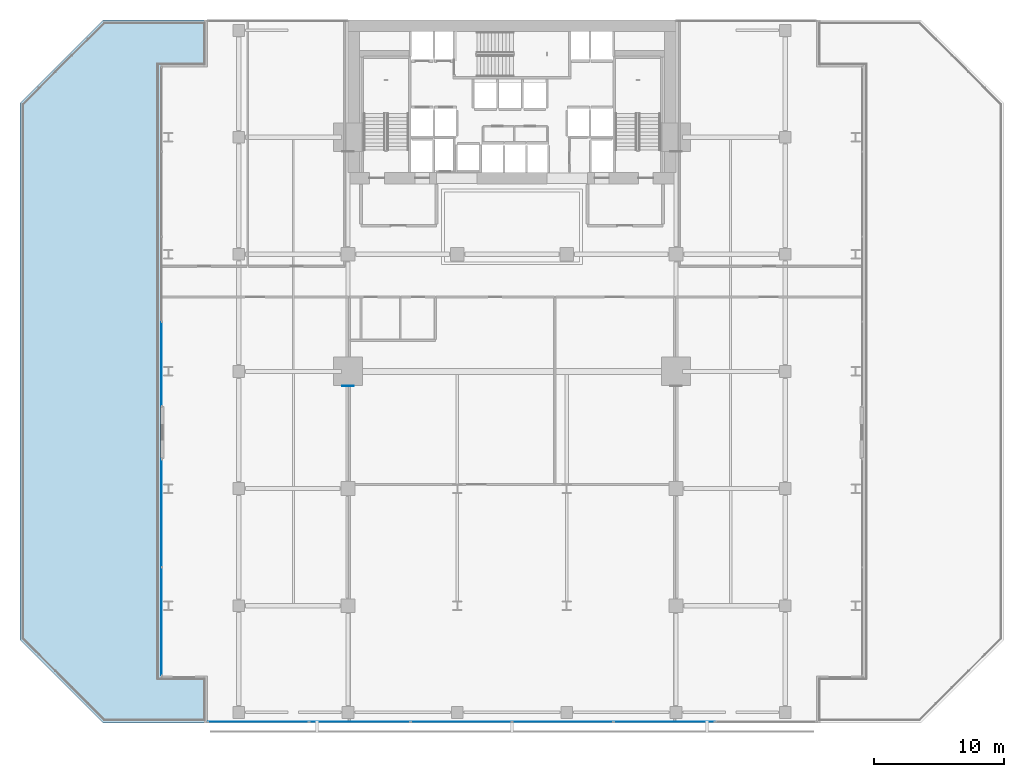
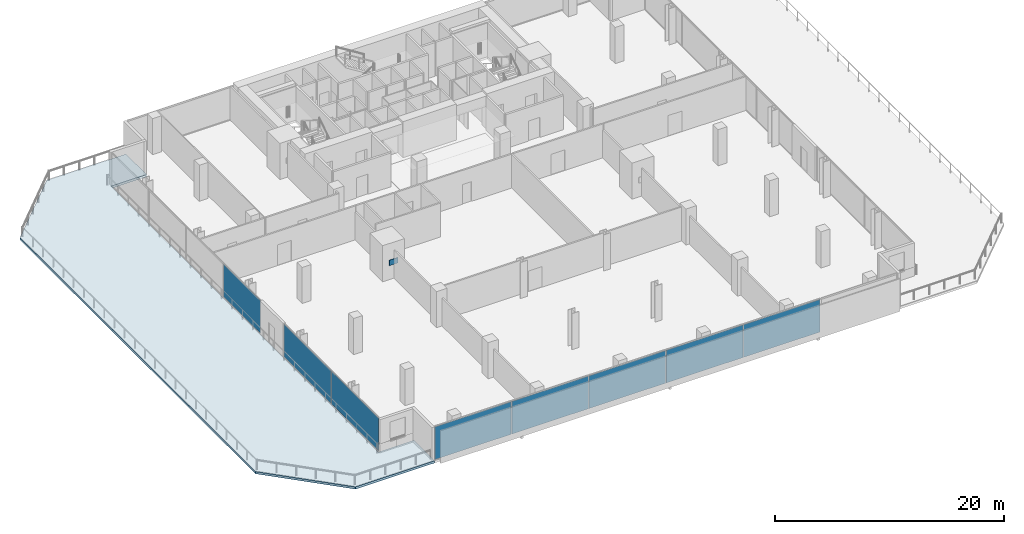
# One storey, part 22 of 31: 9 plates, 1 slab, 3 elements without a shape of their own.
"""IFC4 building model written with IfcOpenShell, lengths in metres."""

from ifc_helpers import new_model, si_unit, direction, frame, origin, origin_2d, place, context, subcontext, project, spatial, polyline, rectangle, outline, extrude, material, layer, layer_set, type_object, element, aggregate, save


model = new_model("IFC4")

# Units and contexts
model_context = context("Model", 3, precision=1e-05, world=origin(), true_north=direction((0.0, 1.0)))
body_context = subcontext(model_context, "Body", "Model", "MODEL_VIEW")
ifc_project = project(units=[si_unit("LENGTHUNIT", "METRE"), si_unit("AREAUNIT", "SQUARE_METRE"), si_unit("VOLUMEUNIT", "CUBIC_METRE"), si_unit("PLANEANGLEUNIT", "RADIAN"), si_unit("MASSUNIT", "GRAM", prefix="KILO")], contexts=[model_context])

# Site, building, storey
site_placement = place(None, origin())
site = spatial("IfcSite", under=ifc_project, at=site_placement, CompositionType="ELEMENT")
building_placement = place(site_placement, origin())
building = spatial("IfcBuilding", under=site, at=building_placement, Name="Maruvema Waterfront Hotel and Observation Tower", CompositionType="ELEMENT")
storey_placement = place(building_placement, frame((0.0, 0.0, 26.949951171875)))
storey = spatial("IfcBuildingStorey", under=building, at=storey_placement, Name="L05", CompositionType="ELEMENT", Elevation=26.949951171875)

# Slab
ifc_material_1 = material(Name="Concrete C50/60", Category="concrete")
ifc_layer_1 = layer(ifc_material_1, 0.239990234375, Name="Outdoor Setback Terrace Deck Slab 240 mm")
ifc_layer_set_1 = layer_set([ifc_layer_1], Name="Concrete C50/60")
slab_type = type_object("IfcSlabType", Name="Outdoor Setback Terrace Deck Slab 240 mm", PredefinedType="FLOOR", material=ifc_layer_set_1)
slab_placement = place(storey_placement, frame((0.0, 0.0, -0.239990234375)))
element("IfcSlab", 1, at=slab_placement, inside=storey, type_object=slab_type, Name="L05 Outdoor Setback Terrace Deck 1", PredefinedType="FLOOR", context=body_context, shape_type="SweptSolid", body=[
    extrude(outline(polyline([(6.39990234375, 0.0), (0.0, 6.39990234375), (0.0, 47.60009765625), (6.39990234375, 54.0), (14.39990234375, 54.0), (14.39990234375, 50.39990234375), (10.800048828125, 50.39990234375), (10.800048828125, 3.60009765625), (14.39990234375, 3.60009765625), (14.39990234375, 0.0), (6.39990234375, 0.0)])), origin(), (0.0, 0.0, 1.0), 0.239990234375),
])

# Curtain wall, plates
ifc_material_2 = material(Name="Anodised bronze aluminium and solar-control low-E IGU", Category="aluminium")
ifc_layer_2 = layer(ifc_material_2, 0.159912109375, Name="Zone 1 Bronze Inner Thermal Curtain Wall System CW-02")
ifc_layer_set_2 = layer_set([ifc_layer_2], Name="Anodised bronze aluminium and solar-control low-E IGU")
curtain_wall_type = type_object("IfcCurtainWallType", Name="Zone 1 Bronze Inner Thermal Curtain Wall System CW-02", PredefinedType="USERDEFINED", material=ifc_layer_set_2)
curtain_wall_1_placement = place(storey_placement, origin())
curtain_wall_1 = element("IfcCurtainWall", 2, at=curtain_wall_1_placement, inside=storey, type_object=curtain_wall_type, Name="L05 Curtain Wall CW-L05-S", ObjectType="UNITISED CURTAIN WALL", PredefinedType="USERDEFINED")
ifc_material_3 = material(Name="Laminated low-E solar-control double glazing", Category="glass")
ifc_layer_3 = layer(ifc_material_3, 0.035888671875, Name="Solar Control Double-Glazed Curtain Panel 36 mm")
ifc_layer_set_3 = layer_set([ifc_layer_3], Name="Laminated low-E solar-control double glazing")
plate_type_1 = type_object("IfcPlateType", Name="Solar Control Double-Glazed Curtain Panel 36 mm", PredefinedType="CURTAIN_PANEL", material=ifc_layer_set_3)
plate_1_placement = place(storey_placement, frame((18.31494140625, 0.080078125, 0.06005859375), z_axis=(0.0, 0.0, 1.0), x_axis=(1.0, 0.0, 0.0)))
plate_1 = element("IfcPlate", 3, at=plate_1_placement, type_object=plate_type_1, Name="CW-02 panel 1.1", PredefinedType="CURTAIN_PANEL", context=body_context, shape_type="SweptSolid", body=[
    extrude(rectangle(XDim=7.7099609375, YDim=0.028076171875, at=origin_2d()), origin(), (0.0, 0.0, 1.0), 3.489990234375),
])
plate_2_placement = place(storey_placement, frame((26.10009765625, 0.080078125, 0.06005859375), z_axis=(0.0, 0.0, 1.0), x_axis=(1.0, 0.0, 0.0)))
plate_2 = element("IfcPlate", 4, at=plate_2_placement, type_object=plate_type_1, Name="CW-02 panel 2.1", PredefinedType="CURTAIN_PANEL", context=body_context, shape_type="SweptSolid", body=[
    extrude(rectangle(XDim=7.739990234375, YDim=0.028076171875, at=origin_2d()), origin(), (0.0, 0.0, 1.0), 3.489990234375),
])
plate_3_placement = place(storey_placement, frame((33.89990234375, 0.080078125, 0.06005859375), z_axis=(0.0, 0.0, 1.0), x_axis=(1.0, 0.0, 0.0)))
plate_3 = element("IfcPlate", 5, at=plate_3_placement, type_object=plate_type_1, Name="CW-02 panel 3.1", PredefinedType="CURTAIN_PANEL", context=body_context, shape_type="SweptSolid", body=[
    extrude(rectangle(XDim=7.739990234375, YDim=0.028076171875, at=origin_2d()), origin(), (0.0, 0.0, 1.0), 3.489990234375),
])
plate_4_placement = place(storey_placement, frame((41.699951171875, 0.080078125, 0.06005859375), z_axis=(0.0, 0.0, 1.0), x_axis=(1.0, 0.0, 0.0)))
plate_4 = element("IfcPlate", 6, at=plate_4_placement, type_object=plate_type_1, Name="CW-02 panel 4.1", PredefinedType="CURTAIN_PANEL", context=body_context, shape_type="SweptSolid", body=[
    extrude(rectangle(XDim=7.739990234375, YDim=0.028076171875, at=origin_2d()), origin(), (0.0, 0.0, 1.0), 3.489990234375),
])
plate_5_placement = place(storey_placement, frame((49.5, 0.080078125, 0.06005859375), z_axis=(0.0, 0.0, 1.0), x_axis=(1.0, 0.0, 0.0)))
plate_5 = element("IfcPlate", 7, at=plate_5_placement, type_object=plate_type_1, Name="CW-02 panel 5.1", PredefinedType="CURTAIN_PANEL", context=body_context, shape_type="SweptSolid", body=[
    extrude(rectangle(XDim=7.739990234375, YDim=0.028076171875, at=origin_2d()), origin(), (0.0, 0.0, 1.0), 3.489990234375),
])
aggregate(curtain_wall_1, [plate_1, plate_2, plate_3, plate_4, plate_5])

curtain_wall_2_placement = place(storey_placement, origin())
curtain_wall_2 = element("IfcCurtainWall", 8, at=curtain_wall_2_placement, inside=storey, type_object=curtain_wall_type, Name="L05 Curtain Wall CW-L05-WS", ObjectType="UNITISED CURTAIN WALL", PredefinedType="USERDEFINED")
plate_6_placement = place(storey_placement, frame((10.8798828125, 16.110107421875, 0.06005859375), z_axis=(0.0, 0.0, 1.0), x_axis=(0.0, -1.0, 0.0)))
plate_6 = element("IfcPlate", 9, at=plate_6_placement, type_object=plate_type_1, Name="CW-02 panel 1.1", PredefinedType="CURTAIN_PANEL", context=body_context, shape_type="SweptSolid", body=[
    extrude(rectangle(XDim=8.260009765625, YDim=0.028076171875, at=origin_2d()), origin(), (0.0, 0.0, 1.0), 3.489990234375),
])
plate_7_placement = place(storey_placement, frame((10.8798828125, 7.7900390625, 0.06005859375), z_axis=(0.0, 0.0, 1.0), x_axis=(0.0, -1.0, 0.0)))
plate_7 = element("IfcPlate", 10, at=plate_7_placement, type_object=plate_type_1, Name="CW-02 panel 2.1", PredefinedType="CURTAIN_PANEL", context=body_context, shape_type="SweptSolid", body=[
    extrude(rectangle(XDim=8.260009765625, YDim=0.028076171875, at=origin_2d()), origin(), (0.0, 0.0, 1.0), 3.489990234375),
])
aggregate(curtain_wall_2, [plate_6, plate_7])

# Curtain wall, plate
curtain_wall_3_placement = place(storey_placement, origin())
curtain_wall_3 = element("IfcCurtainWall", 11, at=curtain_wall_3_placement, inside=storey, type_object=curtain_wall_type, Name="L05 Curtain Wall CW-L05-WN", ObjectType="UNITISED CURTAIN WALL", PredefinedType="USERDEFINED")
plate_8_placement = place(storey_placement, frame((10.8798828125, 27.577392578125, 0.06005859375), z_axis=(0.0, 0.0, 1.0), x_axis=(0.0, -1.0, 0.0)))
plate_8 = element("IfcPlate", 12, at=plate_8_placement, type_object=plate_type_1, Name="CW-02 panel 4.1", PredefinedType="CURTAIN_PANEL", context=body_context, shape_type="SweptSolid", body=[
    extrude(rectangle(XDim=6.43505859375, YDim=0.028076171875, at=origin_2d()), origin(), (0.0, 0.0, 1.0), 3.489990234375),
])
aggregate(curtain_wall_3, [plate_8])

# Plate
ifc_material_4 = material(Name="Steel ABNT NBR 7007 AR 415 (ASTM A572 Grade 50)", Category="steel")
ifc_layer_4 = layer(ifc_material_4, 0.0400390625, Name="Structural Truss Node Gusset Plate 40 mm")
ifc_layer_set_4 = layer_set([ifc_layer_4], Name="Steel ABNT NBR 7007 AR 415 (ASTM A572 Grade 50)")
plate_type_2 = type_object("IfcPlateType", Name="Structural Truss Node Gusset Plate 40 mm", PredefinedType="USERDEFINED", material=ifc_layer_set_4)
plate_9_placement = place(storey_placement, frame((25.199951171875, 25.8798828125, 1.5), z_axis=(0.0, 0.0, 1.0), x_axis=(1.0, 0.0, 0.0)))
element("IfcPlate", 13, at=plate_9_placement, inside=storey, type_object=plate_type_2, Name="L05 MC-01 Moment Frame Continuity Gusset Plate", ObjectType="GUSSET_PLATE", PredefinedType="USERDEFINED", context=body_context, shape_type="SweptSolid", body=[
    extrude(rectangle(XDim=0.89990234375, YDim=0.0400390625, at=origin_2d()), origin(), (0.0, 0.0, 1.0), 0.60009765625),
])

save(model, "model.ifc")
